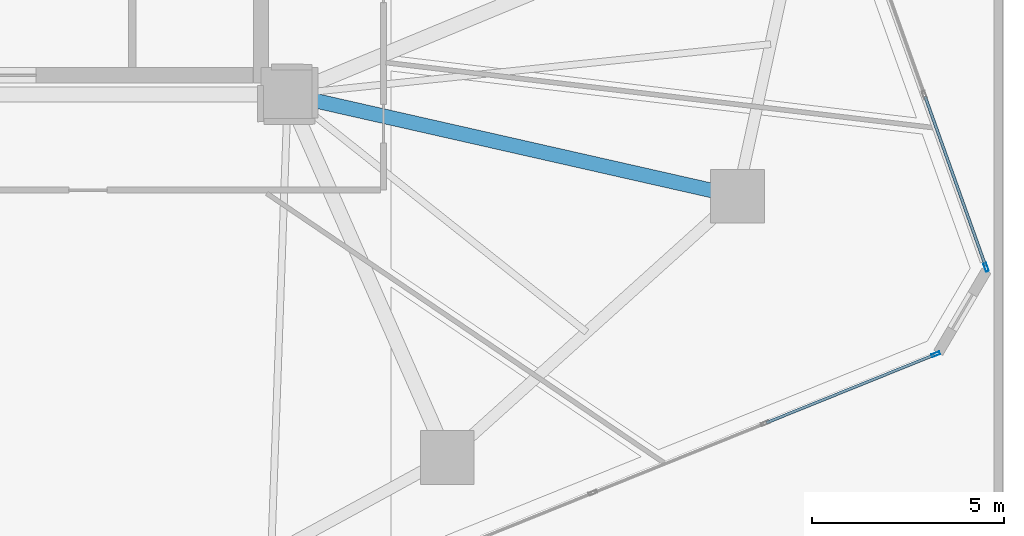
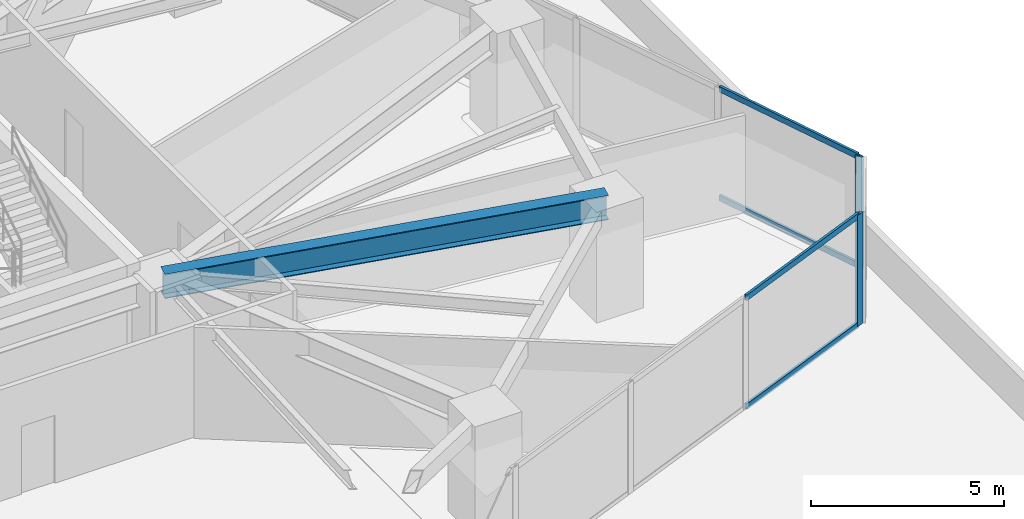
# One storey, part 11 of 23: 6 members, 1 beam, 2 elements without a shape of their own.
"""IFC4 building model written with IfcOpenShell, lengths in metres."""

from ifc_helpers import new_model, si_unit, direction, frame, origin, origin_2d, place, context, subcontext, project, spatial, hollow_rectangle, i_section, extrude, source, transform, mapped, material, layer, layer_set, material_profile, profile_set, type_object, type_shapes, element, aggregate, save


model = new_model("IFC4")

# Units and contexts
model_context = context("Model", 3, precision=1e-05, world=origin(), true_north=direction((0.0, 1.0)))
body_context = subcontext(model_context, "Body", "Model", "MODEL_VIEW")
ifc_project = project(units=[si_unit("LENGTHUNIT", "METRE"), si_unit("AREAUNIT", "SQUARE_METRE"), si_unit("VOLUMEUNIT", "CUBIC_METRE"), si_unit("PLANEANGLEUNIT", "RADIAN"), si_unit("MASSUNIT", "GRAM", prefix="KILO")], contexts=[model_context])

# Site, building, storey
site_placement = place(None, origin())
site = spatial("IfcSite", under=ifc_project, at=site_placement, CompositionType="ELEMENT")
building_placement = place(site_placement, origin())
building = spatial("IfcBuilding", under=site, at=building_placement, Name="Talar Marvaseh", CompositionType="ELEMENT")
storey_placement = place(building_placement, frame((0.0, 0.0, 24.0)))
storey = spatial("IfcBuildingStorey", under=building, at=storey_placement, Name="L05", CompositionType="ELEMENT", Elevation=24.0)

# Beam
ifc_material_1 = material(Name="Steel S355", Category="steel")
ifc_material_profile_1 = material_profile(ifc_material_1, i_section(OverallWidth=0.381103515625, OverallDepth=0.77294921875, WebThickness=0.0166015625, FlangeThickness=0.027099609375, at=origin_2d()), Name="W760x257")
ifc_profile_set_1 = profile_set([ifc_material_profile_1], Name="Steel S355")
beam_type = type_object("IfcBeamType", Name="Zone 1 Radial Floor Girder W760x257", PredefinedType="BEAM", material=ifc_profile_set_1)
beam_placement = place(storey_placement, frame((45.0439453125, 22.840087890625, 3.133544921875), z_axis=(-0.975296900374, 0.220898067263, 0.0), x_axis=(-0.220898067263, -0.975296900374, 0.0)))
element("IfcBeam", 1, at=beam_placement, inside=storey, type_object=beam_type, Name="L05 Zone 1 Radial Floor Girder W760x257", PredefinedType="BEAM", context=body_context, shape_type="SweptSolid", body=[
    extrude(i_section(OverallWidth=0.381103515625, OverallDepth=0.77294921875, WebThickness=0.0166015625, FlangeThickness=0.027099609375, at=origin_2d()), origin(), (0.0, 0.0, 1.0), 12.041259765625),
])

# Curtain wall, member
ifc_material_2 = material(Name="Architectural Aluminium", Category="aluminium")
ifc_layer = layer(ifc_material_2, 0.219970703125)
ifc_layer_set = layer_set([ifc_layer], Name="Architectural Aluminium")
curtain_wall_type = type_object("IfcCurtainWallType", Name="Unitised Low-E Museum Curtain Wall Z1", PredefinedType="NOTDEFINED", material=ifc_layer_set)
curtain_wall_1_placement = place(storey_placement, origin())
curtain_wall_1 = element("IfcCurtainWall", 2, at=curtain_wall_1_placement, inside=storey, type_object=curtain_wall_type, Name="L05 Unitised Low-E Museum Curtain Wall Z1", PredefinedType="NOTDEFINED")
ifc_material_profile_2 = material_profile(ifc_material_2, hollow_rectangle(XDim=0.080078125, YDim=0.219970703125, WallThickness=0.0048828125, at=origin_2d()), Name="RHS220x80x5")
ifc_profile_set_2 = profile_set([ifc_material_profile_2], Name="Architectural Aluminium")
member_type_1 = type_object("IfcMemberType", Name="Unitised Curtain Wall Heavy Mullion RHS220x80x5", PredefinedType="MULLION", material=ifc_profile_set_2)
shared_shape_1 = source(origin(), body_context, "Body", "SweptSolid", [
    extrude(hollow_rectangle(XDim=0.080078125, YDim=0.219970703125, WallThickness=0.0048828125, at=origin_2d()), origin(), (0.0, 0.0, 1.0), 3.52001953125),
])
type_shapes(member_type_1, [shared_shape_1])
member_1_placement = place(storey_placement, frame((51.532958984375, 20.98583984375, 0.0), z_axis=(0.0, 0.0, 1.0), x_axis=(0.941741911595, 0.336336396997, 0.0)))
member_1 = element("IfcMember", 3, at=member_1_placement, type_object=member_type_1, Name="CW-Z1 mullion 5", PredefinedType="MULLION", context=body_context, shape_type="MappedRepresentation", body=[
    mapped(shared_shape_1, transform((0.0, 0.0, 0.0), x_axis=(1.0, 0.0, 0.0), y_axis=(0.0, 1.0, 0.0), z_axis=(0.0, 0.0, 1.0), scale=1.0)),
])

curtain_wall_2_placement = place(storey_placement, origin())
curtain_wall_2 = element("IfcCurtainWall", 4, at=curtain_wall_2_placement, inside=storey, type_object=curtain_wall_type, Name="L05 Unitised Low-E Museum Curtain Wall Z1", PredefinedType="NOTDEFINED")
member_2_placement = place(storey_placement, frame((50.217529296875, 18.71533203125, 0.0), z_axis=(0.0, 0.0, 1.0), x_axis=(0.374463049598, -0.927241837109, 0.0)))
member_2 = element("IfcMember", 5, at=member_2_placement, type_object=member_type_1, Name="CW-Z1 mullion 1", PredefinedType="MULLION", context=body_context, shape_type="MappedRepresentation", body=[
    mapped(shared_shape_1, transform((0.0, 0.0, 0.0), x_axis=(1.0, 0.0, 0.0), y_axis=(0.0, 1.0, 0.0), z_axis=(0.0, 0.0, 1.0), scale=1.0)),
])

# Member
ifc_material_profile_3 = material_profile(ifc_material_2, hollow_rectangle(XDim=0.074951171875, YDim=0.179931640625, WallThickness=0.0048828125, at=origin_2d()), Name="RHS180x75x5")
ifc_profile_set_3 = profile_set([ifc_material_profile_3], Name="Architectural Aluminium")
member_type_2 = type_object("IfcMemberType", Name="Unitised Curtain Wall Transom RHS180x75x5", PredefinedType="USERDEFINED", material=ifc_profile_set_3)
shared_shape_2 = source(origin(), body_context, "Body", "SweptSolid", [
    extrude(hollow_rectangle(XDim=0.074951171875, YDim=0.179931640625, WallThickness=0.0048828125, at=origin_2d()), origin(), (0.0, 0.0, 1.0), 4.69677734375),
])
member_3_placement = place(storey_placement, frame((49.93994140625, 25.446533203125, 0.03759765625), z_axis=(0.336319932236, -0.941747791705, 0.0), x_axis=(0.941747791705, 0.336319932236, 0.0)))
member_3 = element("IfcMember", 6, at=member_3_placement, type_object=member_type_2, Name="CW-Z1 transom 4.1", ObjectType="TRANSOM", PredefinedType="USERDEFINED", context=body_context, shape_type="MappedRepresentation", body=[
    mapped(shared_shape_2, transform((0.0, 0.0, 0.0), x_axis=(1.0, 0.0, 0.0), y_axis=(0.0, 1.0, 0.0), z_axis=(0.0, 0.0, 1.0), scale=1.0)),
])

member_4_placement = place(storey_placement, frame((49.93994140625, 25.446533203125, 3.482421875), z_axis=(0.336319932236, -0.941747791705, 0.0), x_axis=(0.941747791705, 0.336319932236, 0.0)))
member_4 = element("IfcMember", 7, at=member_4_placement, type_object=member_type_2, Name="CW-Z1 transom 4.2", ObjectType="TRANSOM", PredefinedType="USERDEFINED", context=body_context, shape_type="MappedRepresentation", body=[
    mapped(shared_shape_2, transform((0.0, 0.0, 0.0), x_axis=(1.0, 0.0, 0.0), y_axis=(0.0, 1.0, 0.0), z_axis=(0.0, 0.0, 1.0), scale=1.0)),
])

aggregate(curtain_wall_1, [member_1, member_3, member_4])

shared_shape_3 = source(origin(), body_context, "Body", "SweptSolid", [
    extrude(hollow_rectangle(XDim=0.074951171875, YDim=0.179931640625, WallThickness=0.0048828125, at=origin_2d()), origin(), (0.0, 0.0, 1.0), 4.725341796875),
])
type_shapes(member_type_2, [shared_shape_2, shared_shape_3])
member_5_placement = place(storey_placement, frame((50.180419921875, 18.700439453125, 0.03759765625), z_axis=(-0.927238732224, -0.374470737793, 0.0), x_axis=(0.374470737793, -0.927238732224, 0.0)))
member_5 = element("IfcMember", 8, at=member_5_placement, type_object=member_type_2, Name="CW-Z1 transom 1.1", ObjectType="TRANSOM", PredefinedType="USERDEFINED", context=body_context, shape_type="MappedRepresentation", body=[
    mapped(shared_shape_3, transform((0.0, 0.0, 0.0), x_axis=(1.0, 0.0, 0.0), y_axis=(0.0, 1.0, 0.0), z_axis=(0.0, 0.0, 1.0), scale=1.0)),
])

member_6_placement = place(storey_placement, frame((50.180419921875, 18.700439453125, 3.482421875), z_axis=(-0.927238732224, -0.374470737793, 0.0), x_axis=(0.374470737793, -0.927238732224, 0.0)))
member_6 = element("IfcMember", 9, at=member_6_placement, type_object=member_type_2, Name="CW-Z1 transom 1.2", ObjectType="TRANSOM", PredefinedType="USERDEFINED", context=body_context, shape_type="MappedRepresentation", body=[
    mapped(shared_shape_3, transform((0.0, 0.0, 0.0), x_axis=(1.0, 0.0, 0.0), y_axis=(0.0, 1.0, 0.0), z_axis=(0.0, 0.0, 1.0), scale=1.0)),
])

aggregate(curtain_wall_2, [member_2, member_5, member_6])

save(model, "model.ifc")
